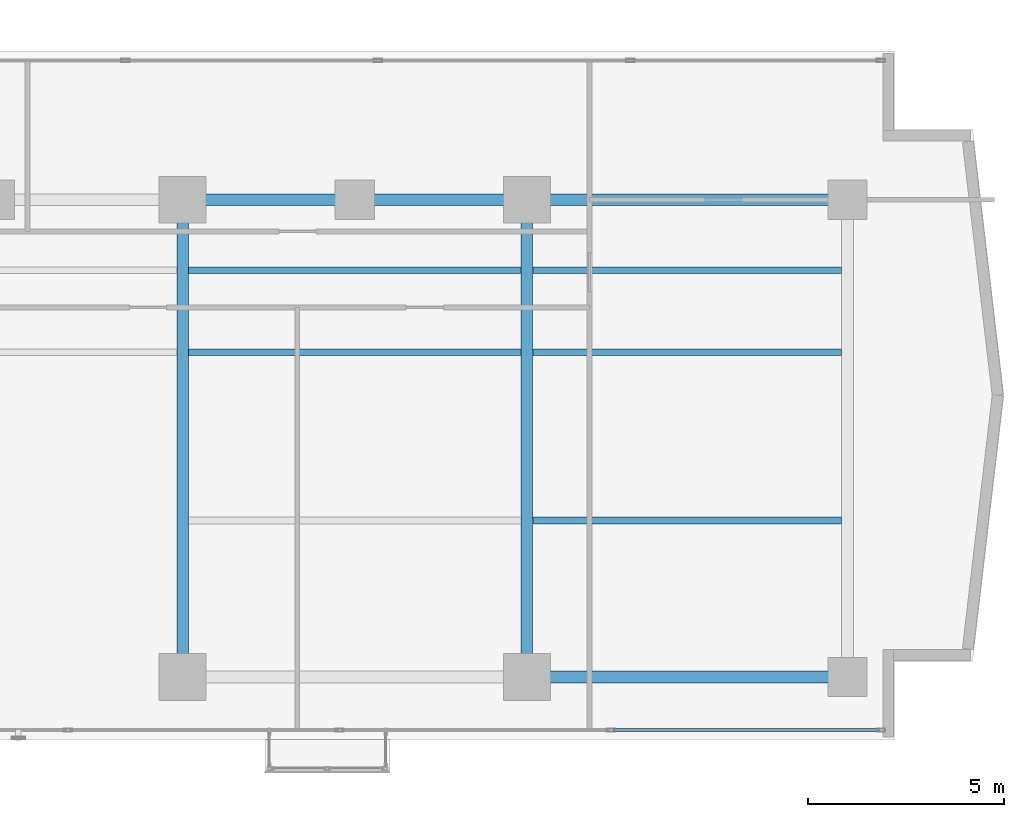
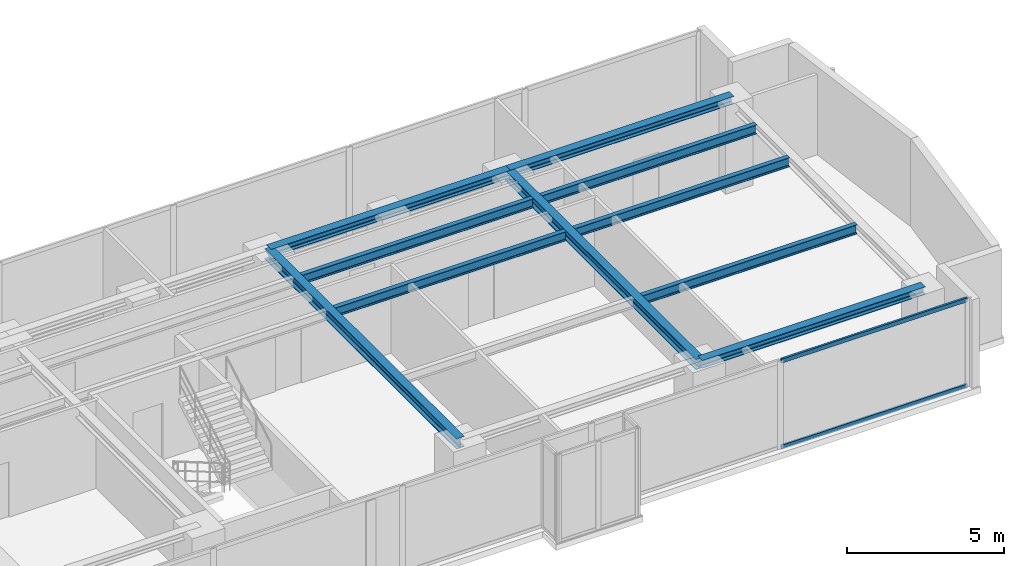
# One storey, part 11 of 26: 10 beams, 2 members, 1 element without a shape of its own.
"""IFC4 building model written with IfcOpenShell, lengths in metres."""

from ifc_helpers import new_model, si_unit, direction, frame, origin, origin_with_axes, origin_2d, place, context, subcontext, project, spatial, hollow_rectangle, i_section, extrude, source, transform, mapped, material, layer, layer_set, material_profile, profile_set, type_object, element, aggregate, save


model = new_model("IFC4")

# Units and contexts
model_context = context("Model", 3, precision=1e-05, world=origin(), true_north=direction((0.0, 1.0)))
body_context = subcontext(model_context, "Body", "Model", "MODEL_VIEW")
ifc_project = project(units=[si_unit("LENGTHUNIT", "METRE"), si_unit("AREAUNIT", "SQUARE_METRE"), si_unit("VOLUMEUNIT", "CUBIC_METRE"), si_unit("PLANEANGLEUNIT", "RADIAN"), si_unit("MASSUNIT", "GRAM", prefix="KILO")], contexts=[model_context])

# Site, building, storey
site_placement = place(None, origin())
site = spatial("IfcSite", under=ifc_project, at=site_placement, CompositionType="ELEMENT")
building_placement = place(site_placement, origin())
building = spatial("IfcBuilding", under=site, at=building_placement, Name="Kolvaren Waterfront Exchange", CompositionType="ELEMENT")
storey_placement = place(building_placement, frame((0.0, 0.0, 195.60009765625)))
storey = spatial("IfcBuildingStorey", under=building, at=storey_placement, Name="L50", CompositionType="ELEMENT", Elevation=195.60009765625)

# Beams
ifc_material_1 = material(Name="Steel S355", Category="steel")
ifc_material_profile_1 = material_profile(ifc_material_1, i_section(OverallWidth=0.300048828125, OverallDepth=0.300048828125, WebThickness=0.010986328125, FlangeThickness=0.01904296875, FilletRadius=0.027099609375, at=origin_2d()), Name="HEB300")
ifc_profile_set_1 = profile_set([ifc_material_profile_1], Name="Steel S355")
beam_type_1 = type_object("IfcBeamType", Name="STR-BM-HEB300", PredefinedType="SPANDREL", material=ifc_profile_set_1)
beam_1_placement = place(storey_placement, frame((45.60009765625, 5.199951171875, 3.27001953125), z_axis=(1.0, 0.0, 0.0), x_axis=(0.0, 1.0, 0.0)))
element("IfcBeam", 1, at=beam_1_placement, inside=storey, type_object=beam_type_1, Name="L50 east-arm spandrel S4", PredefinedType="SPANDREL", context=body_context, shape_type="SweptSolid", body=[
    extrude(i_section(OverallWidth=0.300048828125, OverallDepth=0.300048828125, WebThickness=0.010986328125, FlangeThickness=0.01904296875, FilletRadius=0.027099609375, at=origin_2d()), origin(), (0.0, 0.0, 1.0), 8.199951171875),
])
beam_2_placement = place(storey_placement, frame((36.800048828125, 17.39990234375, 3.27001953125), z_axis=(1.0, 0.0, 0.0), x_axis=(0.0, 1.0, 0.0)))
element("IfcBeam", 2, at=beam_2_placement, inside=storey, type_object=beam_type_1, Name="L50 east-arm spandrel N3", PredefinedType="SPANDREL", context=body_context, shape_type="SweptSolid", body=[
    extrude(i_section(OverallWidth=0.300048828125, OverallDepth=0.300048828125, WebThickness=0.010986328125, FlangeThickness=0.01904296875, FilletRadius=0.027099609375, at=origin_2d()), origin(), (0.0, 0.0, 1.0), 8.800048828125),
])
beam_3_placement = place(storey_placement, frame((45.60009765625, 17.39990234375, 3.27001953125), z_axis=(1.0, 0.0, 0.0), x_axis=(0.0, 1.0, 0.0)))
element("IfcBeam", 3, at=beam_3_placement, inside=storey, type_object=beam_type_1, Name="L50 east-arm spandrel N4", PredefinedType="SPANDREL", context=body_context, shape_type="SweptSolid", body=[
    extrude(i_section(OverallWidth=0.300048828125, OverallDepth=0.300048828125, WebThickness=0.010986328125, FlangeThickness=0.01904296875, FilletRadius=0.027099609375, at=origin_2d()), origin(), (0.0, 0.0, 1.0), 8.199951171875),
])
ifc_material_profile_2 = material_profile(ifc_material_1, i_section(OverallWidth=0.300048828125, OverallDepth=0.39990234375, WebThickness=0.013427734375, FlangeThickness=0.02392578125, FilletRadius=0.027099609375, at=origin_2d()), Name="HEB400")
ifc_profile_set_2 = profile_set([ifc_material_profile_2], Name="Steel S355")
beam_type_2 = type_object("IfcBeamType", Name="STR-BM-HEB400", PredefinedType="BEAM", material=ifc_profile_set_2)
for number, where, z_axis, x_axis, name in (
    (4, (36.800048828125, 5.199951171875, 3.219970703125), (0.0, 1.0, 0.0), (-1.0, 0.0, 0.0), "L50 east-arm transverse girder X36"),
    (5, (45.60009765625, 5.199951171875, 3.219970703125), (0.0, 1.0, 0.0), (-1.0, 0.0, 0.0), "L50 east-arm transverse girder X45"),
):
    element("IfcBeam", number, at=place(storey_placement, frame(where, z_axis=z_axis, x_axis=x_axis)), inside=storey, type_object=beam_type_2, Name=name, PredefinedType="BEAM", context=body_context, shape_type="SweptSolid", body=[
        extrude(i_section(OverallWidth=0.300048828125, OverallDepth=0.39990234375, WebThickness=0.013427734375, FlangeThickness=0.02392578125, FilletRadius=0.027099609375, at=origin_2d()), origin(), (0.0, 0.0, 1.0), 12.199951171875),
    ])
ifc_material_profile_3 = material_profile(ifc_material_1, i_section(OverallWidth=0.169921875, OverallDepth=0.360107421875, WebThickness=0.008056640625, FlangeThickness=0.0126953125, FilletRadius=0.01806640625, at=origin_2d()), Name="IPE360")
ifc_profile_set_3 = profile_set([ifc_material_profile_3], Name="Steel S355")
beam_type_3 = type_object("IfcBeamType", Name="STR-BM-IPE360", PredefinedType="JOIST", material=ifc_profile_set_3)
for number, where, z_axis, x_axis, name in (
    (6, (36.951904296875, 13.5, 3.239990234375), (1.0, 0.0, 0.0), (0.0, 1.0, 0.0), "L50 east-arm composite joist 3A"),
    (7, (36.951904296875, 15.60009765625, 3.239990234375), (1.0, 0.0, 0.0), (0.0, 1.0, 0.0), "L50 east-arm composite joist 3C"),
):
    element("IfcBeam", number, at=place(storey_placement, frame(where, z_axis=z_axis, x_axis=x_axis)), inside=storey, type_object=beam_type_3, Name=name, PredefinedType="JOIST", context=body_context, shape_type="SweptSolid", body=[
        extrude(i_section(OverallWidth=0.169921875, OverallDepth=0.360107421875, WebThickness=0.008056640625, FlangeThickness=0.0126953125, FilletRadius=0.01806640625, at=origin_2d()), origin(), (0.0, 0.0, 1.0), 8.49609375),
    ])
for number, where, z_axis, x_axis, name in (
    (8, (45.751953125, 13.5, 3.239990234375), (1.0, 0.0, 0.0), (0.0, 1.0, 0.0), "L50 east-arm composite joist 4A"),
    (9, (45.751953125, 15.60009765625, 3.239990234375), (1.0, 0.0, 0.0), (0.0, 1.0, 0.0), "L50 east-arm composite joist 4C"),
    (10, (45.751953125, 9.199951171875, 3.239990234375), (1.0, 0.0, 0.0), (0.0, 1.0, 0.0), "L50 east-arm composite joist 4B"),
):
    element("IfcBeam", number, at=place(storey_placement, frame(where, z_axis=z_axis, x_axis=x_axis)), inside=storey, type_object=beam_type_3, Name=name, PredefinedType="JOIST", context=body_context, shape_type="SweptSolid", body=[
        extrude(i_section(OverallWidth=0.169921875, OverallDepth=0.360107421875, WebThickness=0.008056640625, FlangeThickness=0.0126953125, FilletRadius=0.01806640625, at=origin_2d()), origin(), (0.0, 0.0, 1.0), 7.89599609375),
    ])

# Curtain wall, members
ifc_material_2 = material(Name="Anodised bronze aluminium 6063-T6", Category="aluminium")
ifc_layer = layer(ifc_material_2, 0.219970703125, Name="Anodised bronze aluminium 6063-T6")
ifc_layer_set = layer_set([ifc_layer], Name="Anodised bronze aluminium 6063-T6")
curtain_wall_type = type_object("IfcCurtainWallType", Name="ARC-CW-SYS1", PredefinedType="USERDEFINED", material=ifc_layer_set)
curtain_wall_placement = place(storey_placement, origin())
curtain_wall = element("IfcCurtainWall", 11, at=curtain_wall_placement, inside=storey, type_object=curtain_wall_type, Name="L50 stick curtain wall CW1 (CW-L50-S)", ObjectType="STICK CURTAIN WALL", PredefinedType="USERDEFINED")
ifc_material_3 = material(Name="Anodised aluminium 6063-T6", Category="aluminium")
ifc_material_profile_4 = material_profile(ifc_material_3, hollow_rectangle(XDim=0.074951171875, YDim=0.159912109375, WallThickness=0.00439453125, at=origin_2d()), Name="ALU-TRN-160x75x4.5")
ifc_profile_set_4 = profile_set([ifc_material_profile_4], Name="Anodised aluminium 6063-T6")
member_type = type_object("IfcMemberType", Name="ARC-CWT-160", PredefinedType="USERDEFINED", material=ifc_profile_set_4)
shared_shape = source(origin_with_axes(), body_context, "Body", "SweptSolid", [
    extrude(hollow_rectangle(XDim=0.074951171875, YDim=0.159912109375, WallThickness=0.00439453125, at=origin_2d()), origin(), (0.0, 0.0, 1.0), 6.822998046875),
])
member_1_placement = place(storey_placement, frame((47.797119140625, 3.840087890625, 0.037353515625), z_axis=(1.0, 0.0, 0.0), x_axis=(0.0, 1.0, 0.0)))
member_1 = element("IfcMember", 12, at=member_1_placement, type_object=member_type, Name="CW1 transom 7.1", ObjectType="TRANSOM", PredefinedType="USERDEFINED", context=body_context, shape_type="MappedRepresentation", body=[
    mapped(shared_shape, transform((0.0, 0.0, 0.0), x_axis=(1.0, 0.0, 0.0), y_axis=(0.0, 1.0, 0.0), z_axis=(0.0, 0.0, 1.0), scale=1.0)),
])
member_2_placement = place(storey_placement, frame((47.797119140625, 3.840087890625, 3.38232421875), z_axis=(1.0, 0.0, 0.0), x_axis=(0.0, 1.0, 0.0)))
member_2 = element("IfcMember", 13, at=member_2_placement, type_object=member_type, Name="CW1 transom 7.2", ObjectType="TRANSOM", PredefinedType="USERDEFINED", context=body_context, shape_type="MappedRepresentation", body=[
    mapped(shared_shape, transform((0.0, 0.0, 0.0), x_axis=(1.0, 0.0, 0.0), y_axis=(0.0, 1.0, 0.0), z_axis=(0.0, 0.0, 1.0), scale=1.0)),
])
aggregate(curtain_wall, [member_1, member_2])

save(model, "model.ifc")
